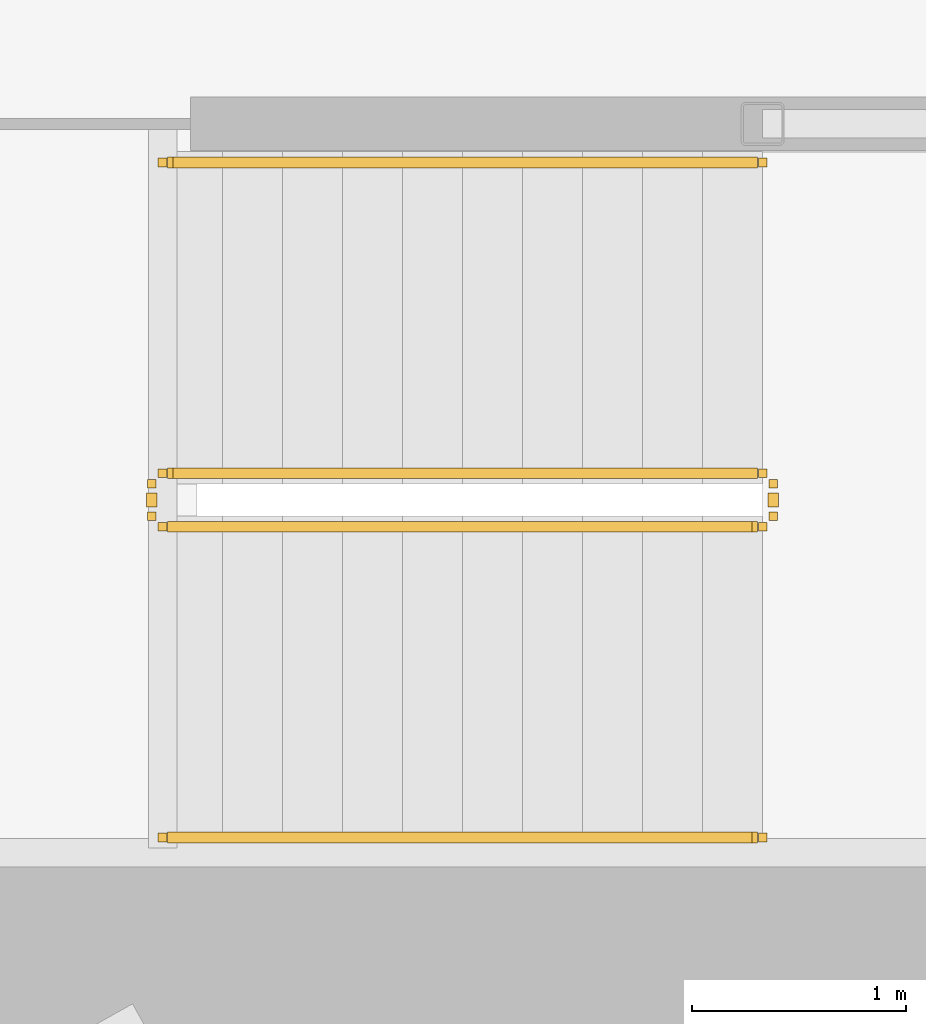
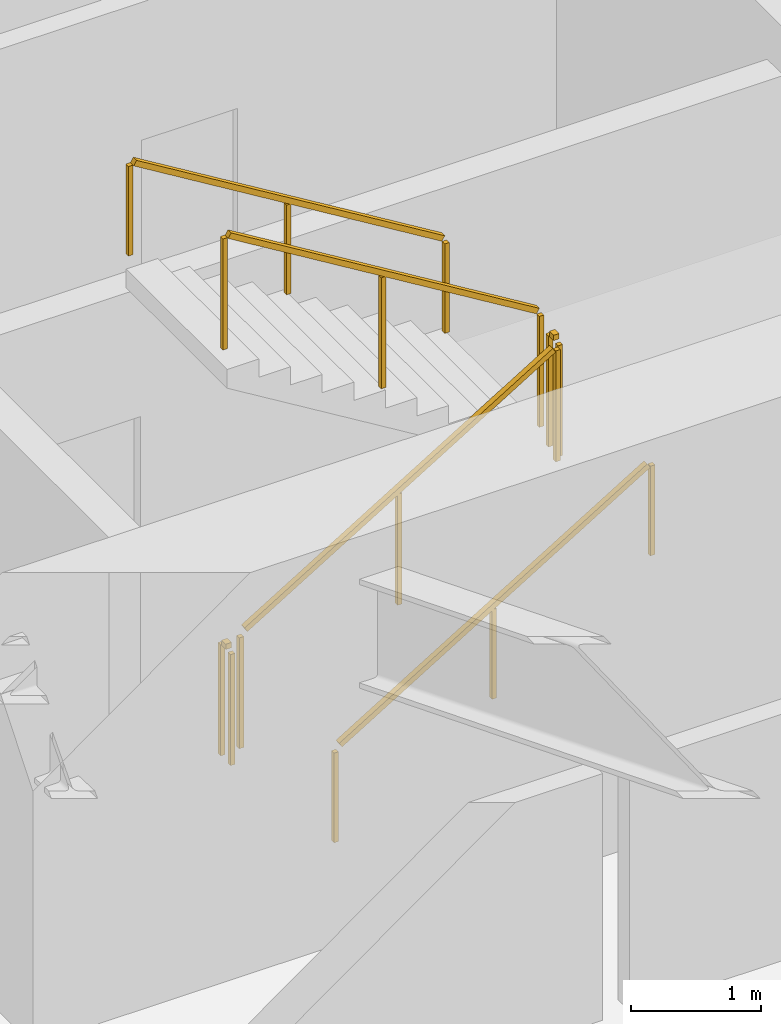
# One storey, part 28 of 31: 6 railings.
"""IFC4 building model written with IfcOpenShell, lengths in metres."""

from ifc_helpers import new_model, si_unit, direction, frame, origin, origin_2d, place, context, subcontext, project, spatial, rectangle, extrude, material, type_object, element, save


model = new_model("IFC4")

# Units and contexts
model_context = context("Model", 3, precision=1e-05, world=origin(), true_north=direction((0.0, 1.0)))
body_context = subcontext(model_context, "Body", "Model", "MODEL_VIEW")
ifc_project = project(units=[si_unit("LENGTHUNIT", "METRE"), si_unit("AREAUNIT", "SQUARE_METRE"), si_unit("VOLUMEUNIT", "CUBIC_METRE"), si_unit("PLANEANGLEUNIT", "RADIAN"), si_unit("MASSUNIT", "GRAM", prefix="KILO")], contexts=[model_context])

# Site, building, storey
site_placement = place(None, origin())
site = spatial("IfcSite", under=ifc_project, at=site_placement, CompositionType="ELEMENT")
building_placement = place(site_placement, origin())
building = spatial("IfcBuilding", under=site, at=building_placement, Name="Kazma Halo Residences", CompositionType="ELEMENT")
storey_placement = place(building_placement, frame((0.0, 0.0, 71.39990234375)))
storey = spatial("IfcBuildingStorey", under=building, at=storey_placement, Name="L17", CompositionType="ELEMENT", Elevation=71.39990234375)

# Railings
ifc_material_1 = material(Name="Painted Steel S355", Category="steel")
railing_type_1 = type_object("IfcRailingType", Name="RLG-STAIR-GRD-1100", PredefinedType="GUARDRAIL", material=ifc_material_1)
railing_1_placement = place(storey_placement, frame((53.199951171875, 35.5, 0.170654296875)))
element("IfcRailing", 1, at=railing_1_placement, inside=storey, type_object=railing_type_1, Name="L17 ST-03 stair guard 1", PredefinedType="GUARDRAIL", context=body_context, shape_type="SweptSolid", body=[
    extrude(rectangle(XDim=0.050048828125, YDim=0.050048828125, at=origin_2d()), frame((0.036376953125, 0.0, 1.09716796875), z_axis=(0.854202870247, 0.0, 0.519939858505), x_axis=(0.0, 1.0, 0.0)), (0.0, 0.0, 1.0), 3.19287109375),
    extrude(rectangle(XDim=0.0400390625, YDim=0.0400390625, at=origin_2d()), origin(), (0.0, 0.0, 1.0), 1.0380859375),
    extrude(rectangle(XDim=0.0400390625, YDim=0.0400390625, at=origin_2d()), frame((1.39990234375, 0.0, 0.85205078125)), (0.0, 0.0, 1.0), 1.0380859375),
    extrude(rectangle(XDim=0.0400390625, YDim=0.0400390625, at=origin_2d()), frame((2.800048828125, 0.0, 1.704345703125)), (0.0, 0.0, 1.0), 1.0380859375),
])
railing_2_placement = place(storey_placement, frame((56.050048828125, 35.550048828125, 1.875)))
element("IfcRailing", 2, at=railing_2_placement, inside=storey, type_object=railing_type_1, Name="L17 ST-03 stair guard 2", PredefinedType="GUARDRAIL", context=body_context, shape_type="SweptSolid", body=[
    extrude(rectangle(XDim=0.050048828125, YDim=0.050048828125, at=origin_2d()), frame((0.0, 0.04248046875, 1.0751953125), z_axis=(0.0, 1.0, 0.0), x_axis=(-1.0, 0.0, 0.0)), (0.0, 0.0, 1.0), 0.06494140625),
    extrude(rectangle(XDim=0.0400390625, YDim=0.0400390625, at=origin_2d()), origin(), (0.0, 0.0, 1.0), 1.0380859375),
    extrude(rectangle(XDim=0.0400390625, YDim=0.0400390625, at=origin_2d()), frame((0.0, 0.14990234375, 0.0)), (0.0, 0.0, 1.0), 1.0380859375),
])
railing_3_placement = place(storey_placement, frame((56.0, 35.75, 2.045654296875)))
element("IfcRailing", 3, at=railing_3_placement, inside=storey, type_object=railing_type_1, Name="L17 ST-03 stair guard 3", PredefinedType="GUARDRAIL", context=body_context, shape_type="SweptSolid", body=[
    extrude(rectangle(XDim=0.050048828125, YDim=0.050048828125, at=origin_2d()), frame((-0.036376953125, 0.0, 1.09716796875), z_axis=(-0.854202870247, 0.0, 0.519939858505), x_axis=(0.0, -1.0, 0.0)), (0.0, 0.0, 1.0), 3.19287109375),
    extrude(rectangle(XDim=0.0400390625, YDim=0.0400390625, at=origin_2d()), origin(), (0.0, 0.0, 1.0), 1.0380859375),
    extrude(rectangle(XDim=0.0400390625, YDim=0.0400390625, at=origin_2d()), frame((-1.39990234375, 0.0, 0.85205078125)), (0.0, 0.0, 1.0), 1.0380859375),
    extrude(rectangle(XDim=0.0400390625, YDim=0.0400390625, at=origin_2d()), frame((-2.800048828125, 0.0, 1.704345703125)), (0.0, 0.0, 1.0), 1.0380859375),
])
railing_4_placement = place(storey_placement, frame((53.14990234375, 35.550048828125, 0.0)))
element("IfcRailing", 4, at=railing_4_placement, inside=storey, type_object=railing_type_1, Name="L17 ST-03 stair guard 4", PredefinedType="GUARDRAIL", context=body_context, shape_type="SweptSolid", body=[
    extrude(rectangle(XDim=0.050048828125, YDim=0.050048828125, at=origin_2d()), frame((0.0, 0.04248046875, 1.0751953125), z_axis=(0.0, 1.0, 0.0), x_axis=(-1.0, 0.0, 0.0)), (0.0, 0.0, 1.0), 0.06494140625),
    extrude(rectangle(XDim=0.0400390625, YDim=0.0400390625, at=origin_2d()), origin(), (0.0, 0.0, 1.0), 1.0380859375),
    extrude(rectangle(XDim=0.0400390625, YDim=0.0400390625, at=origin_2d()), frame((0.0, 0.14990234375, 0.0)), (0.0, 0.0, 1.0), 1.0380859375),
])
ifc_material_2 = material(Name="Brushed Stainless Steel", Category="steel")
railing_type_2 = type_object("IfcRailingType", Name="RLG-STAIR-HND-900", PredefinedType="HANDRAIL", material=ifc_material_2)
railing_5_placement = place(storey_placement, frame((53.199951171875, 34.050048828125, 0.170654296875)))
element("IfcRailing", 5, at=railing_5_placement, inside=storey, type_object=railing_type_2, Name="L17 ST-03 stair handrail 1", PredefinedType="HANDRAIL", context=body_context, shape_type="SweptSolid", body=[
    extrude(rectangle(XDim=0.050048828125, YDim=0.050048828125, at=origin_2d()), frame((0.036376953125, 0.0, 0.89697265625), z_axis=(0.854202870247, 0.0, 0.519939858505), x_axis=(0.0, 1.0, 0.0)), (0.0, 0.0, 1.0), 3.19287109375),
    extrude(rectangle(XDim=0.0400390625, YDim=0.0400390625, at=origin_2d()), origin(), (0.0, 0.0, 1.0), 0.837890625),
    extrude(rectangle(XDim=0.0400390625, YDim=0.0400390625, at=origin_2d()), frame((1.39990234375, 0.0, 0.85205078125)), (0.0, 0.0, 1.0), 0.837890625),
    extrude(rectangle(XDim=0.0400390625, YDim=0.0400390625, at=origin_2d()), frame((2.800048828125, 0.0, 1.704345703125)), (0.0, 0.0, 1.0), 0.837890625),
])
railing_6_placement = place(storey_placement, frame((56.0, 37.199951171875, 2.045654296875)))
element("IfcRailing", 6, at=railing_6_placement, inside=storey, type_object=railing_type_2, Name="L17 ST-03 stair handrail 2", PredefinedType="HANDRAIL", context=body_context, shape_type="SweptSolid", body=[
    extrude(rectangle(XDim=0.050048828125, YDim=0.050048828125, at=origin_2d()), frame((-0.036376953125, 0.0, 0.89697265625), z_axis=(-0.854202870247, 0.0, 0.519939858505), x_axis=(0.0, -1.0, 0.0)), (0.0, 0.0, 1.0), 3.19287109375),
    extrude(rectangle(XDim=0.0400390625, YDim=0.0400390625, at=origin_2d()), origin(), (0.0, 0.0, 1.0), 0.837890625),
    extrude(rectangle(XDim=0.0400390625, YDim=0.0400390625, at=origin_2d()), frame((-1.39990234375, 0.0, 0.85205078125)), (0.0, 0.0, 1.0), 0.837890625),
    extrude(rectangle(XDim=0.0400390625, YDim=0.0400390625, at=origin_2d()), frame((-2.800048828125, 0.0, 1.704345703125)), (0.0, 0.0, 1.0), 0.837890625),
])

save(model, "model.ifc")
